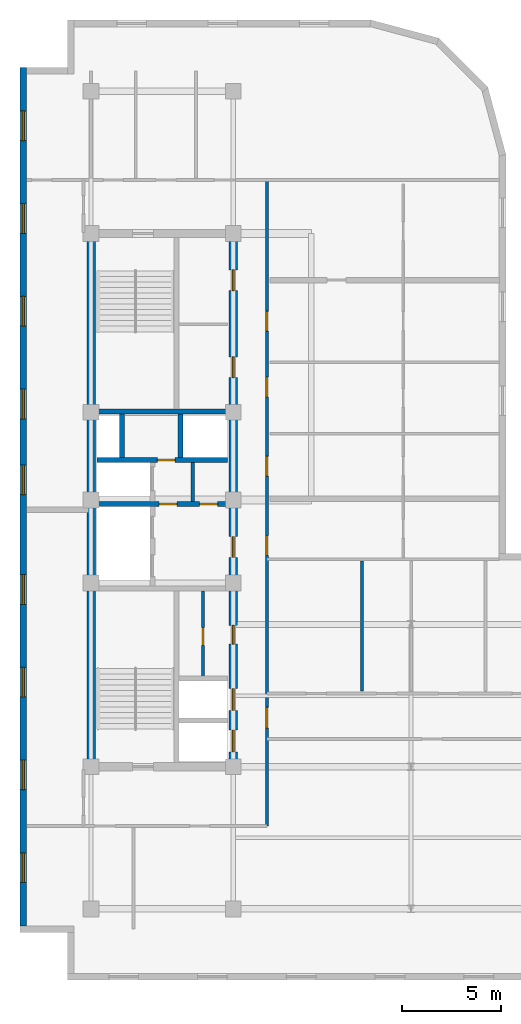
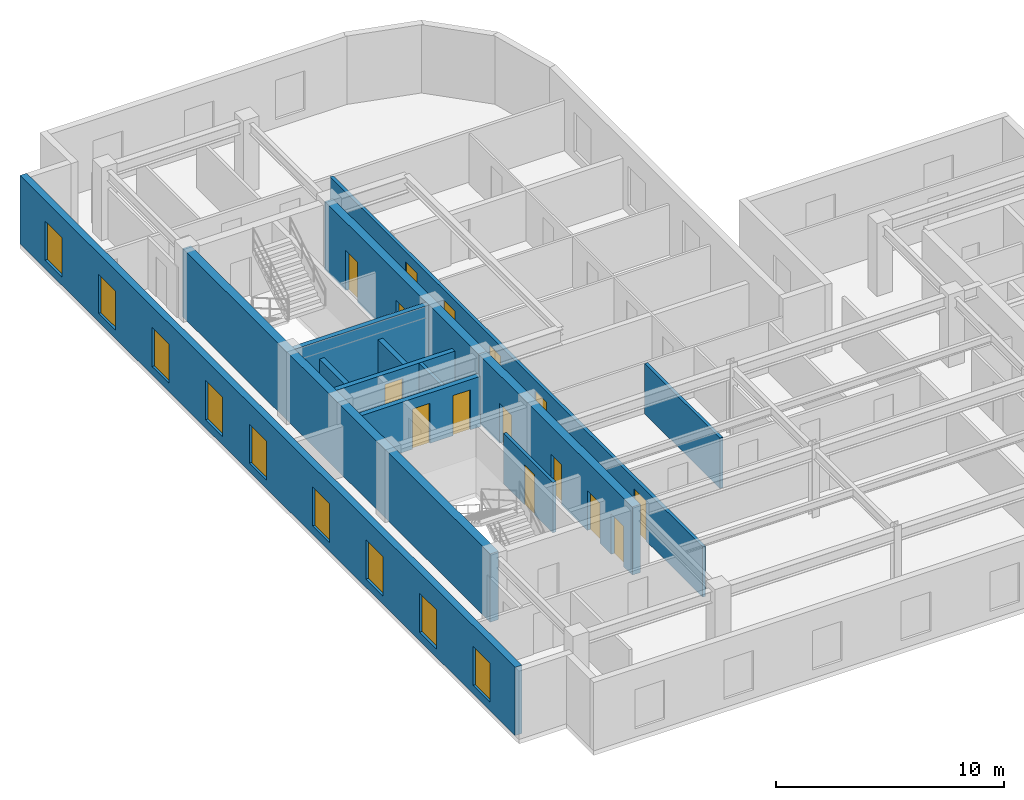
# One storey, part 4 of 10: 15 doors, 13 walls, 9 windows, 24 openings.
"""IFC4 building model written with IfcOpenShell, lengths in metres."""

from ifc_helpers import new_model, entity, si_unit, converted_unit, direction, frame, origin_with_axes, origin_2d_with_axis, place, context, subcontext, project, spatial, polyline, rectangle, outline, extrude, material, layer, layer_set, type_object, element, fill, save


model = new_model("IFC4")

# Units and contexts
model_context = context("Model", 3, precision=1e-05, world=origin_with_axes(), true_north=direction((0.0, 1.0)))
body_context = subcontext(model_context, "Body", "Model", "MODEL_VIEW")
ifc_project = project(units=[si_unit("LENGTHUNIT", "METRE"), si_unit("AREAUNIT", "SQUARE_METRE"), si_unit("VOLUMEUNIT", "CUBIC_METRE"), converted_unit("PLANEANGLEUNIT", "DEGREE", entity("IfcPlaneAngleMeasure", 0.017453292519943295), si_unit("PLANEANGLEUNIT", "RADIAN"), dimensions=[0, 0, 0, 0, 0, 0, 0]), si_unit("MASSUNIT", "GRAM", prefix="KILO"), si_unit("THERMODYNAMICTEMPERATUREUNIT", "KELVIN")], contexts=[model_context])

# Site, building, storey
site_placement = place(None, origin_with_axes())
site = spatial("IfcSite", under=ifc_project, at=site_placement, CompositionType="ELEMENT")
building_placement = place(site_placement, origin_with_axes())
building = spatial("IfcBuilding", under=site, at=building_placement, Name="Varnlund Millrace Tower", CompositionType="ELEMENT")
storey_placement = place(building_placement, frame((0.0, 0.0, 268.5), z_axis=(0.0, 0.0, 1.0), x_axis=(1.0, 0.0, 0.0)))
storey = spatial("IfcBuildingStorey", under=building, at=storey_placement, Name="L66", CompositionType="ELEMENT", Elevation=268.5)

# Wall
ifc_material_1 = material(Name="Concrete C60/75", Category="concrete")
ifc_layer_1 = layer(ifc_material_1, 0.42, Name="Concrete C60/75")
ifc_layer_set_1 = layer_set([ifc_layer_1], Name="Concrete C60/75")
wall_type_1 = type_object("IfcWallType", Name="Type-CoreWall-Shear-420-C60", PredefinedType="SHEAR", material=ifc_layer_set_1)
wall_1_placement = place(storey_placement, frame((11.4, 10.8, 0.0), z_axis=(0.0, 0.0, 1.0), x_axis=(0.0, 1.0, 0.0)))
element("IfcWall", 1, at=wall_1_placement, inside=storey, type_object=wall_type_1, Name="Type-CoreWall-Shear-420-C60", PredefinedType="SHEAR", context=body_context, shape_type="SweptSolid", body=[
    extrude(outline(polyline([(0.0, -0.21), (27.0, -0.21), (27.0, 0.21), (0.0, 0.21), (0.0, -0.21)])), origin_with_axes(), (0.0, 0.0, 1.0), 3.66),
])

# Wall, openings, doors
wall_2_placement = place(storey_placement, frame((18.6, 10.8, 0.0), z_axis=(0.0, 0.0, 1.0), x_axis=(0.0, 1.0, 0.0)))
wall_2 = element("IfcWall", 2, at=wall_2_placement, inside=storey, type_object=wall_type_1, Name="Type-CoreWall-Shear-420-C60", PredefinedType="SHEAR", context=body_context, shape_type="SweptSolid", body=[
    extrude(outline(polyline([(0.0, -0.21), (13.5, -0.21), (13.5, 0.21), (0.0, 0.21), (0.0, -0.21)])), origin_with_axes(), (0.0, 0.0, 1.0), 3.66),
])
opening_1_placement = place(wall_2_placement, frame((1.3, 0.0, 0.0), z_axis=(0.0, 0.0, 1.0), x_axis=(1.0, 0.0, 0.0)))
opening_1 = element("IfcOpeningElement", 3, at=opening_1_placement, cuts=wall_2, Name="Opening L66:LD-ELV-H1", PredefinedType="OPENING", context=body_context, shape_type="SweptSolid", body=[
    extrude(rectangle(XDim=1.1, YDim=0.44, at=origin_2d_with_axis()), origin_with_axes(), (0.0, 0.0, 1.0), 2.15),
])
opening_2_placement = place(wall_2_placement, frame((3.4, 0.0, 0.0), z_axis=(0.0, 0.0, 1.0), x_axis=(1.0, 0.0, 0.0)))
opening_2 = element("IfcOpeningElement", 4, at=opening_2_placement, cuts=wall_2, Name="Opening L66:LD-ELV-H2", PredefinedType="OPENING", context=body_context, shape_type="SweptSolid", body=[
    extrude(rectangle(XDim=1.1, YDim=0.44, at=origin_2d_with_axis()), origin_with_axes(), (0.0, 0.0, 1.0), 2.15),
])
opening_3_placement = place(wall_2_placement, frame((11.125, 0.0, 0.0), z_axis=(0.0, 0.0, 1.0), x_axis=(1.0, 0.0, 0.0)))
opening_3 = element("IfcOpeningElement", 5, at=opening_3_placement, cuts=wall_2, Name="Opening L66:DR-FFLOB-A", PredefinedType="OPENING", context=body_context, shape_type="SweptSolid", body=[
    extrude(rectangle(XDim=1.05, YDim=0.44, at=origin_2d_with_axis()), origin_with_axes(), (0.0, 0.0, 1.0), 2.15),
])
opening_4_placement = place(wall_2_placement, frame((6.675, 0.0, 0.0), z_axis=(0.0, 0.0, 1.0), x_axis=(1.0, 0.0, 0.0)))
opening_4 = element("IfcOpeningElement", 6, at=opening_4_placement, cuts=wall_2, Name="Opening L66:DR-RECL-S1B2", PredefinedType="OPENING", context=body_context, shape_type="SweptSolid", body=[
    extrude(rectangle(XDim=0.95, YDim=0.44, at=origin_2d_with_axis()), origin_with_axes(), (0.0, 0.0, 1.0), 2.15),
])
ifc_material_2 = material(Name="Smoke-barrier hollow steel fire door", Category="steel")
door_type_1 = type_object("IfcDoorType", Name="Type-FireDoor-Lobby-1050X2150", OperationType="NOTDEFINED", PredefinedType="DOOR", material=ifc_material_2)
door_1_placement = place(wall_2_placement, frame((11.125, 0.0, 0.0), z_axis=(0.0, 0.0, 1.0), x_axis=(1.0, 0.0, 0.0)))
door_1 = element("IfcDoor", 7, at=door_1_placement, inside=storey, type_object=door_type_1, Name="Type-FireDoor-Lobby-1050X2150", OperationType="SINGLE_SWING_LEFT", OverallHeight=2.15, OverallWidth=1.05, PredefinedType="DOOR", context=body_context, shape_type="SweptSolid", body=[
    extrude(rectangle(XDim=1.05, YDim=0.09, at=origin_2d_with_axis()), origin_with_axes(), (0.0, 0.0, 1.0), 2.15),
])
fill(opening_3, door_1)
ifc_material_3 = material(Name="Fire-rated hollow steel core service door", Category="steel")
door_type_2 = type_object("IfcDoorType", Name="Type-FireDoor-Service-950X2150", OperationType="NOTDEFINED", PredefinedType="DOOR", material=ifc_material_3)
door_2_placement = place(wall_2_placement, frame((6.675, 0.0, 0.0), z_axis=(0.0, 0.0, 1.0), x_axis=(1.0, 0.0, 0.0)))
door_2 = element("IfcDoor", 8, at=door_2_placement, inside=storey, type_object=door_type_2, Name="Type-FireDoor-Service-950X2150", OperationType="SINGLE_SWING_RIGHT", OverallHeight=2.15, OverallWidth=0.95, PredefinedType="DOOR", context=body_context, shape_type="SweptSolid", body=[
    extrude(rectangle(XDim=0.95, YDim=0.09, at=origin_2d_with_axis()), origin_with_axes(), (0.0, 0.0, 1.0), 2.15),
])
fill(opening_4, door_2)
ifc_material_4 = material(Name="Stainless and architectural bronze sliding landing door")
door_type_3 = type_object("IfcDoorType", Name="Type-LiftLandingDoor-1100X2150", OperationType="NOTDEFINED", PredefinedType="DOOR", material=ifc_material_4)
door_3_placement = place(wall_2_placement, frame((1.3, 0.0, 0.0), z_axis=(0.0, 0.0, 1.0), x_axis=(1.0, 0.0, 0.0)))
door_3 = element("IfcDoor", 9, at=door_3_placement, inside=storey, type_object=door_type_3, Name="Type-LiftLandingDoor-1100X2150", OperationType="SLIDING_TO_LEFT", OverallHeight=2.15, OverallWidth=1.1, PredefinedType="DOOR", context=body_context, shape_type="SweptSolid", body=[
    extrude(rectangle(XDim=1.1, YDim=0.09, at=origin_2d_with_axis()), origin_with_axes(), (0.0, 0.0, 1.0), 2.15),
])
fill(opening_1, door_3)
door_4_placement = place(wall_2_placement, frame((3.4, 0.0, 0.0), z_axis=(0.0, 0.0, 1.0), x_axis=(1.0, 0.0, 0.0)))
door_4 = element("IfcDoor", 10, at=door_4_placement, inside=storey, type_object=door_type_3, Name="Type-LiftLandingDoor-1100X2150", OperationType="SLIDING_TO_RIGHT", OverallHeight=2.15, OverallWidth=1.1, PredefinedType="DOOR", context=body_context, shape_type="SweptSolid", body=[
    extrude(rectangle(XDim=1.1, YDim=0.09, at=origin_2d_with_axis()), origin_with_axes(), (0.0, 0.0, 1.0), 2.15),
])
fill(opening_2, door_4)

wall_3_placement = place(storey_placement, frame((18.6, 24.3, 0.0), z_axis=(0.0, 0.0, 1.0), x_axis=(0.0, 1.0, 0.0)))
wall_3 = element("IfcWall", 11, at=wall_3_placement, inside=storey, type_object=wall_type_1, Name="Type-CoreWall-Shear-420-C60", PredefinedType="SHEAR", context=body_context, shape_type="SweptSolid", body=[
    extrude(outline(polyline([(0.0, -0.21), (13.5, -0.21), (13.5, 0.21), (0.0, 0.21), (0.0, -0.21)])), origin_with_axes(), (0.0, 0.0, 1.0), 3.66),
])
opening_5_placement = place(wall_3_placement, frame((6.725, 0.0, 0.0), z_axis=(0.0, 0.0, 1.0), x_axis=(1.0, 0.0, 0.0)))
opening_5 = element("IfcOpeningElement", 12, at=opening_5_placement, cuts=wall_3, Name="Opening L66:DR-RECL-M1", PredefinedType="OPENING", context=body_context, shape_type="SweptSolid", body=[
    extrude(rectangle(XDim=1.05, YDim=0.44, at=origin_2d_with_axis()), origin_with_axes(), (0.0, 0.0, 1.0), 2.15),
])
opening_6_placement = place(wall_3_placement, frame((11.125, 0.0, 0.0), z_axis=(0.0, 0.0, 1.0), x_axis=(1.0, 0.0, 0.0)))
opening_6 = element("IfcOpeningElement", 13, at=opening_6_placement, cuts=wall_3, Name="Opening L66:DR-RECL-M2", PredefinedType="OPENING", context=body_context, shape_type="SweptSolid", body=[
    extrude(rectangle(XDim=1.05, YDim=0.44, at=origin_2d_with_axis()), origin_with_axes(), (0.0, 0.0, 1.0), 2.15),
])
door_5_placement = place(wall_3_placement, frame((6.725, 0.0, 0.0), z_axis=(0.0, 0.0, 1.0), x_axis=(1.0, 0.0, 0.0)))
door_5 = element("IfcDoor", 14, at=door_5_placement, inside=storey, type_object=door_type_1, Name="Type-FireDoor-Lobby-1050X2150", OperationType="SINGLE_SWING_LEFT", OverallHeight=2.15, OverallWidth=1.05, PredefinedType="DOOR", context=body_context, shape_type="SweptSolid", body=[
    extrude(rectangle(XDim=1.05, YDim=0.09, at=origin_2d_with_axis()), origin_with_axes(), (0.0, 0.0, 1.0), 2.15),
])
fill(opening_5, door_5)
door_6_placement = place(wall_3_placement, frame((11.125, 0.0, 0.0), z_axis=(0.0, 0.0, 1.0), x_axis=(1.0, 0.0, 0.0)))
door_6 = element("IfcDoor", 15, at=door_6_placement, inside=storey, type_object=door_type_1, Name="Type-FireDoor-Lobby-1050X2150", OperationType="SINGLE_SWING_RIGHT", OverallHeight=2.15, OverallWidth=1.05, PredefinedType="DOOR", context=body_context, shape_type="SweptSolid", body=[
    extrude(rectangle(XDim=1.05, YDim=0.09, at=origin_2d_with_axis()), origin_with_axes(), (0.0, 0.0, 1.0), 2.15),
])
fill(opening_6, door_6)

# Wall, openings, windows
ifc_material_5 = material(Name="Precast concrete C50/60", Category="concrete")
ifc_layer_2 = layer(ifc_material_5, 0.34, Name="Precast concrete C50/60")
ifc_layer_set_2 = layer_set([ifc_layer_2], Name="Precast concrete C50/60")
wall_type_2 = type_object("IfcWallType", Name="Type-ExtWall-Precast-Upper-340", PredefinedType="SOLIDWALL", material=ifc_layer_set_2)
wall_4_placement = place(storey_placement, frame((7.97, 2.74, 0.0), z_axis=(0.0, 0.0, 1.0), x_axis=(0.0, 1.0, 0.0)))
wall_4 = element("IfcWall", 16, at=wall_4_placement, inside=storey, type_object=wall_type_2, Name="Type-ExtWall-Precast-Upper-340", PredefinedType="SOLIDWALL", context=body_context, shape_type="SweptSolid", body=[
    extrude(outline(polyline([(0.0, -0.17), (43.46, -0.17), (43.46, 0.17), (0.0, 0.17), (0.0, -0.17)])), origin_with_axes(), (0.0, 0.0, 1.0), 3.66),
])
opening_7_placement = place(wall_4_placement, frame((2.948, 0.0, 0.45), z_axis=(0.0, 0.0, 1.0), x_axis=(1.0, 0.0, 0.0)))
opening_7 = element("IfcOpeningElement", 17, at=opening_7_placement, cuts=wall_4, Name="Opening L66:WN-17", PredefinedType="OPENING", context=body_context, shape_type="SweptSolid", body=[
    extrude(rectangle(XDim=1.5, YDim=0.36, at=origin_2d_with_axis()), origin_with_axes(), (0.0, 0.0, 1.0), 2.1),
])
opening_8_placement = place(wall_4_placement, frame((7.643, 0.0, 0.45), z_axis=(0.0, 0.0, 1.0), x_axis=(1.0, 0.0, 0.0)))
opening_8 = element("IfcOpeningElement", 18, at=opening_8_placement, cuts=wall_4, Name="Opening L66:WN-18", PredefinedType="OPENING", context=body_context, shape_type="SweptSolid", body=[
    extrude(rectangle(XDim=1.5, YDim=0.36, at=origin_2d_with_axis()), origin_with_axes(), (0.0, 0.0, 1.0), 2.1),
])
opening_9_placement = place(wall_4_placement, frame((12.339, 0.0, 0.45), z_axis=(0.0, 0.0, 1.0), x_axis=(1.0, 0.0, 0.0)))
opening_9 = element("IfcOpeningElement", 19, at=opening_9_placement, cuts=wall_4, Name="Opening L66:WN-19", PredefinedType="OPENING", context=body_context, shape_type="SweptSolid", body=[
    extrude(rectangle(XDim=1.5, YDim=0.36, at=origin_2d_with_axis()), origin_with_axes(), (0.0, 0.0, 1.0), 2.1),
])
opening_10_placement = place(wall_4_placement, frame((17.034, 0.0, 0.45), z_axis=(0.0, 0.0, 1.0), x_axis=(1.0, 0.0, 0.0)))
opening_10 = element("IfcOpeningElement", 20, at=opening_10_placement, cuts=wall_4, Name="Opening L66:WN-20", PredefinedType="OPENING", context=body_context, shape_type="SweptSolid", body=[
    extrude(rectangle(XDim=1.5, YDim=0.36, at=origin_2d_with_axis()), origin_with_axes(), (0.0, 0.0, 1.0), 2.1),
])
opening_11_placement = place(wall_4_placement, frame((22.58, 0.0, 0.45), z_axis=(0.0, 0.0, 1.0), x_axis=(1.0, 0.0, 0.0)))
opening_11 = element("IfcOpeningElement", 21, at=opening_11_placement, cuts=wall_4, Name="Opening L66:WN-21", PredefinedType="OPENING", context=body_context, shape_type="SweptSolid", body=[
    extrude(rectangle(XDim=1.5, YDim=0.36, at=origin_2d_with_axis()), origin_with_axes(), (0.0, 0.0, 1.0), 2.1),
])
opening_12_placement = place(wall_4_placement, frame((26.426, 0.0, 0.45), z_axis=(0.0, 0.0, 1.0), x_axis=(1.0, 0.0, 0.0)))
opening_12 = element("IfcOpeningElement", 22, at=opening_12_placement, cuts=wall_4, Name="Opening L66:WN-22", PredefinedType="OPENING", context=body_context, shape_type="SweptSolid", body=[
    extrude(rectangle(XDim=1.5, YDim=0.36, at=origin_2d_with_axis()), origin_with_axes(), (0.0, 0.0, 1.0), 2.1),
])
opening_13_placement = place(wall_4_placement, frame((31.121, 0.0, 0.45), z_axis=(0.0, 0.0, 1.0), x_axis=(1.0, 0.0, 0.0)))
opening_13 = element("IfcOpeningElement", 23, at=opening_13_placement, cuts=wall_4, Name="Opening L66:WN-23", PredefinedType="OPENING", context=body_context, shape_type="SweptSolid", body=[
    extrude(rectangle(XDim=1.5, YDim=0.36, at=origin_2d_with_axis()), origin_with_axes(), (0.0, 0.0, 1.0), 2.1),
])
opening_14_placement = place(wall_4_placement, frame((35.817, 0.0, 0.45), z_axis=(0.0, 0.0, 1.0), x_axis=(1.0, 0.0, 0.0)))
opening_14 = element("IfcOpeningElement", 24, at=opening_14_placement, cuts=wall_4, Name="Opening L66:WN-24", PredefinedType="OPENING", context=body_context, shape_type="SweptSolid", body=[
    extrude(rectangle(XDim=1.5, YDim=0.36, at=origin_2d_with_axis()), origin_with_axes(), (0.0, 0.0, 1.0), 2.1),
])
opening_15_placement = place(wall_4_placement, frame((40.512, 0.0, 0.45), z_axis=(0.0, 0.0, 1.0), x_axis=(1.0, 0.0, 0.0)))
opening_15 = element("IfcOpeningElement", 25, at=opening_15_placement, cuts=wall_4, Name="Opening L66:WN-25", PredefinedType="OPENING", context=body_context, shape_type="SweptSolid", body=[
    extrude(rectangle(XDim=1.5, YDim=0.36, at=origin_2d_with_axis()), origin_with_axes(), (0.0, 0.0, 1.0), 2.1),
])
ifc_material_6 = material(Name="Argon low-e triple glazing in thermally broken bronze frame", Category="glass")
window_type = type_object("IfcWindowType", Name="Type-Window-Punched-1500X2100", PartitioningType="SINGLE_PANEL", PredefinedType="WINDOW", material=ifc_material_6)
window_1_placement = place(wall_4_placement, frame((2.948, 0.0, 0.45), z_axis=(0.0, 0.0, 1.0), x_axis=(1.0, 0.0, 0.0)))
window_1 = element("IfcWindow", 26, at=window_1_placement, inside=storey, type_object=window_type, Name="Type-Window-Punched-1500X2100", OverallHeight=2.1, OverallWidth=1.5, PredefinedType="WINDOW", context=body_context, shape_type="SweptSolid", body=[
    extrude(rectangle(XDim=1.5, YDim=0.09, at=origin_2d_with_axis()), origin_with_axes(), (0.0, 0.0, 1.0), 2.1),
])
fill(opening_7, window_1)
window_2_placement = place(wall_4_placement, frame((7.643, 0.0, 0.45), z_axis=(0.0, 0.0, 1.0), x_axis=(1.0, 0.0, 0.0)))
window_2 = element("IfcWindow", 27, at=window_2_placement, inside=storey, type_object=window_type, Name="Type-Window-Punched-1500X2100", OverallHeight=2.1, OverallWidth=1.5, PredefinedType="WINDOW", context=body_context, shape_type="SweptSolid", body=[
    extrude(rectangle(XDim=1.5, YDim=0.09, at=origin_2d_with_axis()), origin_with_axes(), (0.0, 0.0, 1.0), 2.1),
])
fill(opening_8, window_2)
window_3_placement = place(wall_4_placement, frame((12.339, 0.0, 0.45), z_axis=(0.0, 0.0, 1.0), x_axis=(1.0, 0.0, 0.0)))
window_3 = element("IfcWindow", 28, at=window_3_placement, inside=storey, type_object=window_type, Name="Type-Window-Punched-1500X2100", OverallHeight=2.1, OverallWidth=1.5, PredefinedType="WINDOW", context=body_context, shape_type="SweptSolid", body=[
    extrude(rectangle(XDim=1.5, YDim=0.09, at=origin_2d_with_axis()), origin_with_axes(), (0.0, 0.0, 1.0), 2.1),
])
fill(opening_9, window_3)
window_4_placement = place(wall_4_placement, frame((17.034, 0.0, 0.45), z_axis=(0.0, 0.0, 1.0), x_axis=(1.0, 0.0, 0.0)))
window_4 = element("IfcWindow", 29, at=window_4_placement, inside=storey, type_object=window_type, Name="Type-Window-Punched-1500X2100", OverallHeight=2.1, OverallWidth=1.5, PredefinedType="WINDOW", context=body_context, shape_type="SweptSolid", body=[
    extrude(rectangle(XDim=1.5, YDim=0.09, at=origin_2d_with_axis()), origin_with_axes(), (0.0, 0.0, 1.0), 2.1),
])
fill(opening_10, window_4)
window_5_placement = place(wall_4_placement, frame((22.58, 0.0, 0.45), z_axis=(0.0, 0.0, 1.0), x_axis=(1.0, 0.0, 0.0)))
window_5 = element("IfcWindow", 30, at=window_5_placement, inside=storey, type_object=window_type, Name="Type-Window-Punched-1500X2100", OverallHeight=2.1, OverallWidth=1.5, PredefinedType="WINDOW", context=body_context, shape_type="SweptSolid", body=[
    extrude(rectangle(XDim=1.5, YDim=0.09, at=origin_2d_with_axis()), origin_with_axes(), (0.0, 0.0, 1.0), 2.1),
])
fill(opening_11, window_5)
window_6_placement = place(wall_4_placement, frame((26.426, 0.0, 0.45), z_axis=(0.0, 0.0, 1.0), x_axis=(1.0, 0.0, 0.0)))
window_6 = element("IfcWindow", 31, at=window_6_placement, inside=storey, type_object=window_type, Name="Type-Window-Punched-1500X2100", OverallHeight=2.1, OverallWidth=1.5, PredefinedType="WINDOW", context=body_context, shape_type="SweptSolid", body=[
    extrude(rectangle(XDim=1.5, YDim=0.09, at=origin_2d_with_axis()), origin_with_axes(), (0.0, 0.0, 1.0), 2.1),
])
fill(opening_12, window_6)
window_7_placement = place(wall_4_placement, frame((31.121, 0.0, 0.45), z_axis=(0.0, 0.0, 1.0), x_axis=(1.0, 0.0, 0.0)))
window_7 = element("IfcWindow", 32, at=window_7_placement, inside=storey, type_object=window_type, Name="Type-Window-Punched-1500X2100", OverallHeight=2.1, OverallWidth=1.5, PredefinedType="WINDOW", context=body_context, shape_type="SweptSolid", body=[
    extrude(rectangle(XDim=1.5, YDim=0.09, at=origin_2d_with_axis()), origin_with_axes(), (0.0, 0.0, 1.0), 2.1),
])
fill(opening_13, window_7)
window_8_placement = place(wall_4_placement, frame((35.817, 0.0, 0.45), z_axis=(0.0, 0.0, 1.0), x_axis=(1.0, 0.0, 0.0)))
window_8 = element("IfcWindow", 33, at=window_8_placement, inside=storey, type_object=window_type, Name="Type-Window-Punched-1500X2100", OverallHeight=2.1, OverallWidth=1.5, PredefinedType="WINDOW", context=body_context, shape_type="SweptSolid", body=[
    extrude(rectangle(XDim=1.5, YDim=0.09, at=origin_2d_with_axis()), origin_with_axes(), (0.0, 0.0, 1.0), 2.1),
])
fill(opening_14, window_8)
window_9_placement = place(wall_4_placement, frame((40.512, 0.0, 0.45), z_axis=(0.0, 0.0, 1.0), x_axis=(1.0, 0.0, 0.0)))
window_9 = element("IfcWindow", 34, at=window_9_placement, inside=storey, type_object=window_type, Name="Type-Window-Punched-1500X2100", OverallHeight=2.1, OverallWidth=1.5, PredefinedType="WINDOW", context=body_context, shape_type="SweptSolid", body=[
    extrude(rectangle(XDim=1.5, YDim=0.09, at=origin_2d_with_axis()), origin_with_axes(), (0.0, 0.0, 1.0), 2.1),
])
fill(opening_15, window_9)

# Wall
ifc_material_7 = material(Name="Fire-rated gypsum board on cold-formed steel framing", Category="steel")
ifc_layer_3 = layer(ifc_material_7, 0.16, Name="Fire-rated gypsum board on cold-formed steel framing")
ifc_layer_set_3 = layer_set([ifc_layer_3], Name="Fire-rated gypsum board on cold-formed steel framing")
wall_type_3 = type_object("IfcWallType", Name="Type-Partition-Corridor-160", PredefinedType="PARTITIONING", material=ifc_layer_set_3)
wall_5_placement = place(storey_placement, frame((16.55, 24.22, 0.0), z_axis=(0.0, 0.0, 1.0), x_axis=(0.0, 1.0, 0.0)))
element("IfcWall", 35, at=wall_5_placement, inside=storey, type_object=wall_type_3, Name="Type-Partition-Corridor-160", PredefinedType="PARTITIONING", context=body_context, shape_type="SweptSolid", body=[
    extrude(outline(polyline([(0.0, -0.08), (1.98, -0.08), (1.98, 0.08), (0.0, 0.08), (0.0, -0.08)])), origin_with_axes(), (0.0, 0.0, 1.0), 2.7),
])

# Wall, opening, door
wall_6_placement = place(storey_placement, frame((17.07, 15.34, 0.0), z_axis=(0.0, 0.0, 1.0), x_axis=(0.0, 1.0, 0.0)))
wall_6 = element("IfcWall", 36, at=wall_6_placement, inside=storey, type_object=wall_type_3, Name="Type-Partition-Corridor-160", PredefinedType="PARTITIONING", context=body_context, shape_type="SweptSolid", body=[
    extrude(outline(polyline([(0.0, -0.08), (4.36, -0.08), (4.36, 0.08), (0.0, 0.08), (0.0, -0.08)])), origin_with_axes(), (0.0, 0.0, 1.0), 2.7),
])
opening_16_placement = place(wall_6_placement, frame((2.05, 0.0, 0.0), z_axis=(0.0, 0.0, 1.0), x_axis=(1.0, 0.0, 0.0)))
opening_16 = element("IfcOpeningElement", 37, at=opening_16_placement, cuts=wall_6, Name="Opening L66:DR-RECL-S1B1", PredefinedType="OPENING", context=body_context, shape_type="SweptSolid", body=[
    extrude(rectangle(XDim=0.9, YDim=0.18, at=origin_2d_with_axis()), origin_with_axes(), (0.0, 0.0, 1.0), 2.15),
])
ifc_material_8 = material(Name="Painted steel riser and closet door", Category="steel")
door_type_4 = type_object("IfcDoorType", Name="Type-IntDoor-Closet-900X2150", OperationType="NOTDEFINED", PredefinedType="DOOR", material=ifc_material_8)
door_7_placement = place(wall_6_placement, frame((2.05, 0.0, 0.0), z_axis=(0.0, 0.0, 1.0), x_axis=(1.0, 0.0, 0.0)))
door_7 = element("IfcDoor", 38, at=door_7_placement, inside=storey, type_object=door_type_4, Name="Type-IntDoor-Closet-900X2150", OperationType="SINGLE_SWING_LEFT", OverallHeight=2.15, OverallWidth=0.9, PredefinedType="DOOR", context=body_context, shape_type="SweptSolid", body=[
    extrude(rectangle(XDim=0.9, YDim=0.09, at=origin_2d_with_axis()), origin_with_axes(), (0.0, 0.0, 1.0), 2.15),
])
fill(opening_16, door_7)

# Wall, openings, doors
wall_7_placement = place(storey_placement, frame((20.3, 7.8, 0.0), z_axis=(0.0, 0.0, 1.0), x_axis=(0.0, 1.0, 0.0)))
wall_7 = element("IfcWall", 39, at=wall_7_placement, inside=storey, type_object=wall_type_3, Name="Type-Partition-Corridor-160", PredefinedType="PARTITIONING", context=body_context, shape_type="SweptSolid", body=[
    extrude(outline(polyline([(0.0, -0.08), (32.7, -0.08), (32.7, 0.08), (0.0, 0.08), (0.0, -0.08)])), origin_with_axes(), (0.0, 0.0, 1.0), 2.7),
])
opening_17_placement = place(wall_7_placement, frame((14.2, 0.0, 0.0), z_axis=(0.0, 0.0, 1.0), x_axis=(1.0, 0.0, 0.0)))
opening_17 = element("IfcOpeningElement", 40, at=opening_17_placement, cuts=wall_7, Name="Opening L66:DR-FLR-01", PredefinedType="OPENING", context=body_context, shape_type="SweptSolid", body=[
    extrude(rectangle(XDim=1.0, YDim=0.18, at=origin_2d_with_axis()), origin_with_axes(), (0.0, 0.0, 1.0), 2.15),
])
opening_18_placement = place(wall_7_placement, frame((18.2145, 0.0, 0.0), z_axis=(0.0, 0.0, 1.0), x_axis=(1.0, 0.0, 0.0)))
opening_18 = element("IfcOpeningElement", 41, at=opening_18_placement, cuts=wall_7, Name="Opening L66:DR-FLR-02", PredefinedType="OPENING", context=body_context, shape_type="SweptSolid", body=[
    extrude(rectangle(XDim=1.0, YDim=0.18, at=origin_2d_with_axis()), origin_with_axes(), (0.0, 0.0, 1.0), 2.15),
])
opening_19_placement = place(wall_7_placement, frame((22.221, 0.0, 0.0), z_axis=(0.0, 0.0, 1.0), x_axis=(1.0, 0.0, 0.0)))
opening_19 = element("IfcOpeningElement", 42, at=opening_19_placement, cuts=wall_7, Name="Opening L66:DR-FLR-03", PredefinedType="OPENING", context=body_context, shape_type="SweptSolid", body=[
    extrude(rectangle(XDim=1.0, YDim=0.18, at=origin_2d_with_axis()), origin_with_axes(), (0.0, 0.0, 1.0), 2.15),
])
opening_20_placement = place(wall_7_placement, frame((25.553, 0.0, 0.0), z_axis=(0.0, 0.0, 1.0), x_axis=(1.0, 0.0, 0.0)))
opening_20 = element("IfcOpeningElement", 43, at=opening_20_placement, cuts=wall_7, Name="Opening L66:DR-FLR-04", PredefinedType="OPENING", context=body_context, shape_type="SweptSolid", body=[
    extrude(rectangle(XDim=1.0, YDim=0.18, at=origin_2d_with_axis()), origin_with_axes(), (0.0, 0.0, 1.0), 2.15),
])
opening_21_placement = place(wall_7_placement, frame((5.475, 0.0, 0.0), z_axis=(0.0, 0.0, 1.0), x_axis=(1.0, 0.0, 0.0)))
opening_21 = element("IfcOpeningElement", 44, at=opening_21_placement, cuts=wall_7, Name="Opening L66:DR-KN-W", PredefinedType="OPENING", context=body_context, shape_type="SweptSolid", body=[
    extrude(rectangle(XDim=1.05, YDim=0.18, at=origin_2d_with_axis()), origin_with_axes(), (0.0, 0.0, 1.0), 2.15),
])
door_8_placement = place(wall_7_placement, frame((5.475, 0.0, 0.0), z_axis=(0.0, 0.0, 1.0), x_axis=(1.0, 0.0, 0.0)))
door_8 = element("IfcDoor", 45, at=door_8_placement, inside=storey, type_object=door_type_1, Name="Type-FireDoor-Lobby-1050X2150", OperationType="SINGLE_SWING_LEFT", OverallHeight=2.15, OverallWidth=1.05, PredefinedType="DOOR", context=body_context, shape_type="SweptSolid", body=[
    extrude(rectangle(XDim=1.05, YDim=0.09, at=origin_2d_with_axis()), origin_with_axes(), (0.0, 0.0, 1.0), 2.15),
])
fill(opening_21, door_8)
ifc_material_9 = material(Name="Solid-core white oak and bronze frame door")
door_type_5 = type_object("IfcDoorType", Name="Type-IntDoor-Office-1000X2150", OperationType="NOTDEFINED", PredefinedType="DOOR", material=ifc_material_9)
door_9_placement = place(wall_7_placement, frame((14.2, 0.0, 0.0), z_axis=(0.0, 0.0, 1.0), x_axis=(1.0, 0.0, 0.0)))
door_9 = element("IfcDoor", 46, at=door_9_placement, inside=storey, type_object=door_type_5, Name="Type-IntDoor-Office-1000X2150", OperationType="SINGLE_SWING_LEFT", OverallHeight=2.15, OverallWidth=1.0, PredefinedType="DOOR", context=body_context, shape_type="SweptSolid", body=[
    extrude(rectangle(XDim=1.0, YDim=0.09, at=origin_2d_with_axis()), origin_with_axes(), (0.0, 0.0, 1.0), 2.15),
])
fill(opening_17, door_9)
door_10_placement = place(wall_7_placement, frame((18.2145, 0.0, 0.0), z_axis=(0.0, 0.0, 1.0), x_axis=(1.0, 0.0, 0.0)))
door_10 = element("IfcDoor", 47, at=door_10_placement, inside=storey, type_object=door_type_5, Name="Type-IntDoor-Office-1000X2150", OperationType="SINGLE_SWING_RIGHT", OverallHeight=2.15, OverallWidth=1.0, PredefinedType="DOOR", context=body_context, shape_type="SweptSolid", body=[
    extrude(rectangle(XDim=1.0, YDim=0.09, at=origin_2d_with_axis()), origin_with_axes(), (0.0, 0.0, 1.0), 2.15),
])
fill(opening_18, door_10)
door_11_placement = place(wall_7_placement, frame((22.221, 0.0, 0.0), z_axis=(0.0, 0.0, 1.0), x_axis=(1.0, 0.0, 0.0)))
door_11 = element("IfcDoor", 48, at=door_11_placement, inside=storey, type_object=door_type_5, Name="Type-IntDoor-Office-1000X2150", OperationType="SINGLE_SWING_LEFT", OverallHeight=2.15, OverallWidth=1.0, PredefinedType="DOOR", context=body_context, shape_type="SweptSolid", body=[
    extrude(rectangle(XDim=1.0, YDim=0.09, at=origin_2d_with_axis()), origin_with_axes(), (0.0, 0.0, 1.0), 2.15),
])
fill(opening_19, door_11)
door_12_placement = place(wall_7_placement, frame((25.553, 0.0, 0.0), z_axis=(0.0, 0.0, 1.0), x_axis=(1.0, 0.0, 0.0)))
door_12 = element("IfcDoor", 49, at=door_12_placement, inside=storey, type_object=door_type_5, Name="Type-IntDoor-Office-1000X2150", OperationType="SINGLE_SWING_RIGHT", OverallHeight=2.15, OverallWidth=1.0, PredefinedType="DOOR", context=body_context, shape_type="SweptSolid", body=[
    extrude(rectangle(XDim=1.0, YDim=0.09, at=origin_2d_with_axis()), origin_with_axes(), (0.0, 0.0, 1.0), 2.15),
])
fill(opening_20, door_12)

# Wall
ifc_material_10 = material(Name="Acoustic STC-50 gypsum board partition", Category="gypsum")
ifc_layer_4 = layer(ifc_material_10, 0.15, Name="Acoustic STC-50 gypsum board partition")
ifc_layer_set_4 = layer_set([ifc_layer_4], Name="Acoustic STC-50 gypsum board partition")
wall_type_4 = type_object("IfcWallType", Name="Type-Partition-Demising-150", PredefinedType="PARTITIONING", material=ifc_layer_set_4)
wall_8_placement = place(storey_placement, frame((25.111, 14.62, 0.0), z_axis=(0.0, 0.0, 1.0), x_axis=(0.0, 1.0, 0.0)))
element("IfcWall", 50, at=wall_8_placement, inside=storey, type_object=wall_type_4, Name="Type-Partition-Demising-150", PredefinedType="PARTITIONING", context=body_context, shape_type="SweptSolid", body=[
    extrude(outline(polyline([(0.0, -0.075), (6.6, -0.075), (6.6, 0.075), (0.0, 0.075), (0.0, -0.075)])), origin_with_axes(), (0.0, 0.0, 1.0), 2.7),
])

# Wall, openings, doors
ifc_layer_5 = layer(ifc_material_1, 0.25, Name="Concrete C60/75")
ifc_layer_set_5 = layer_set([ifc_layer_5], Name="Concrete C60/75")
wall_type_5 = type_object("IfcWallType", Name="Type-ShaftWall-Fire-250", PredefinedType="SOLIDWALL", material=ifc_layer_set_5)
wall_9_placement = place(storey_placement, frame((11.7, 24.1, 0.0), z_axis=(0.0, 0.0, 1.0), x_axis=(1.0, 0.0, 0.0)))
wall_9 = element("IfcWall", 51, at=wall_9_placement, inside=storey, type_object=wall_type_5, Name="Type-ShaftWall-Fire-250", PredefinedType="SOLIDWALL", context=body_context, shape_type="SweptSolid", body=[
    extrude(outline(polyline([(0.0, -0.125), (6.6, -0.125), (6.6, 0.125), (0.0, 0.125), (0.0, -0.125)])), origin_with_axes(), (0.0, 0.0, 1.0), 2.7),
])
opening_22_placement = place(wall_9_placement, frame((3.6, 0.0, 0.0), z_axis=(0.0, 0.0, 1.0), x_axis=(1.0, 0.0, 0.0)))
opening_22 = element("IfcOpeningElement", 52, at=opening_22_placement, cuts=wall_9, Name="Opening L66:DR-CA-SUB1", PredefinedType="OPENING", context=body_context, shape_type="SweptSolid", body=[
    extrude(rectangle(XDim=0.9, YDim=0.27, at=origin_2d_with_axis()), origin_with_axes(), (0.0, 0.0, 1.0), 2.15),
])
opening_23_placement = place(wall_9_placement, frame((5.65, 0.0, 0.0), z_axis=(0.0, 0.0, 1.0), x_axis=(1.0, 0.0, 0.0)))
opening_23 = element("IfcOpeningElement", 53, at=opening_23_placement, cuts=wall_9, Name="Opening L66:DR-CA-SUB2", PredefinedType="OPENING", context=body_context, shape_type="SweptSolid", body=[
    extrude(rectangle(XDim=0.9, YDim=0.27, at=origin_2d_with_axis()), origin_with_axes(), (0.0, 0.0, 1.0), 2.15),
])
ifc_material_11 = material(Name="Fire-rated hollow steel service closet door", Category="steel")
door_type_6 = type_object("IfcDoorType", Name="Type-FireDoor-Closet-900X2150", OperationType="NOTDEFINED", PredefinedType="DOOR", material=ifc_material_11)
door_13_placement = place(wall_9_placement, frame((3.6, 0.0, 0.0), z_axis=(0.0, 0.0, 1.0), x_axis=(1.0, 0.0, 0.0)))
door_13 = element("IfcDoor", 54, at=door_13_placement, inside=storey, type_object=door_type_6, Name="Type-FireDoor-Closet-900X2150", OperationType="SINGLE_SWING_LEFT", OverallHeight=2.15, OverallWidth=0.9, PredefinedType="DOOR", context=body_context, shape_type="SweptSolid", body=[
    extrude(rectangle(XDim=0.9, YDim=0.09, at=origin_2d_with_axis()), origin_with_axes(), (0.0, 0.0, 1.0), 2.15),
])
fill(opening_22, door_13)
door_14_placement = place(wall_9_placement, frame((5.65, 0.0, 0.0), z_axis=(0.0, 0.0, 1.0), x_axis=(1.0, 0.0, 0.0)))
door_14 = element("IfcDoor", 55, at=door_14_placement, inside=storey, type_object=door_type_6, Name="Type-FireDoor-Closet-900X2150", OperationType="SINGLE_SWING_LEFT", OverallHeight=2.15, OverallWidth=0.9, PredefinedType="DOOR", context=body_context, shape_type="SweptSolid", body=[
    extrude(rectangle(XDim=0.9, YDim=0.09, at=origin_2d_with_axis()), origin_with_axes(), (0.0, 0.0, 1.0), 2.15),
])
fill(opening_23, door_14)

# Wall, opening, door
wall_10_placement = place(storey_placement, frame((11.7, 26.325, 0.0), z_axis=(0.0, 0.0, 1.0), x_axis=(1.0, 0.0, 0.0)))
wall_10 = element("IfcWall", 56, at=wall_10_placement, inside=storey, type_object=wall_type_5, Name="Type-ShaftWall-Fire-250", PredefinedType="SOLIDWALL", context=body_context, shape_type="SweptSolid", body=[
    extrude(outline(polyline([(0.0, -0.125), (6.6, -0.125), (6.6, 0.125), (0.0, 0.125), (0.0, -0.125)])), origin_with_axes(), (0.0, 0.0, 1.0), 2.7),
])
opening_24_placement = place(wall_10_placement, frame((3.5, 0.0, 0.0), z_axis=(0.0, 0.0, 1.0), x_axis=(1.0, 0.0, 0.0)))
opening_24 = element("IfcOpeningElement", 57, at=opening_24_placement, cuts=wall_10, Name="Opening L66:DR-CA-ELC", PredefinedType="OPENING", context=body_context, shape_type="SweptSolid", body=[
    extrude(rectangle(XDim=0.9, YDim=0.27, at=origin_2d_with_axis()), origin_with_axes(), (0.0, 0.0, 1.0), 2.15),
])
door_15_placement = place(wall_10_placement, frame((3.5, 0.0, 0.0), z_axis=(0.0, 0.0, 1.0), x_axis=(1.0, 0.0, 0.0)))
door_15 = element("IfcDoor", 58, at=door_15_placement, inside=storey, type_object=door_type_6, Name="Type-FireDoor-Closet-900X2150", OperationType="SINGLE_SWING_LEFT", OverallHeight=2.15, OverallWidth=0.9, PredefinedType="DOOR", context=body_context, shape_type="SweptSolid", body=[
    extrude(rectangle(XDim=0.9, YDim=0.09, at=origin_2d_with_axis()), origin_with_axes(), (0.0, 0.0, 1.0), 2.15),
])
fill(opening_24, door_15)

# Walls
for number, where, z_axis, x_axis, name in (
    (59, (12.96, 26.45, 0.0), (0.0, 0.0, 1.0), (0.0, 1.0, 0.0), "Type-ShaftWall-Fire-250"),
    (60, (15.925, 26.45, 0.0), (0.0, 0.0, 1.0), (0.0, 1.0, 0.0), "Type-ShaftWall-Fire-250"),
):
    element("IfcWall", number, at=place(storey_placement, frame(where, z_axis=z_axis, x_axis=x_axis)), inside=storey, type_object=wall_type_5, Name=name, PredefinedType="SOLIDWALL", context=body_context, shape_type="SweptSolid", body=[
        extrude(outline(polyline([(0.0, -0.125), (2.2, -0.125), (2.2, 0.125), (0.0, 0.125), (0.0, -0.125)])), origin_with_axes(), (0.0, 0.0, 1.0), 2.7),
    ])
wall_type_6 = type_object("IfcWallType", Name="Type-StairWall-Shear-250", PredefinedType="SHEAR", material=ifc_layer_set_5)
wall_11_placement = place(storey_placement, frame((11.61, 28.775, 0.0), z_axis=(0.0, 0.0, 1.0), x_axis=(1.0, 0.0, 0.0)))
element("IfcWall", 61, at=wall_11_placement, inside=storey, type_object=wall_type_6, Name="Type-StairWall-Shear-250", PredefinedType="SHEAR", context=body_context, shape_type="SweptSolid", body=[
    extrude(outline(polyline([(0.0, -0.125), (6.78, -0.125), (6.78, 0.125), (0.0, 0.125), (0.0, -0.125)])), origin_with_axes(), (0.0, 0.0, 1.0), 3.66),
])

save(model, "model.ifc")
